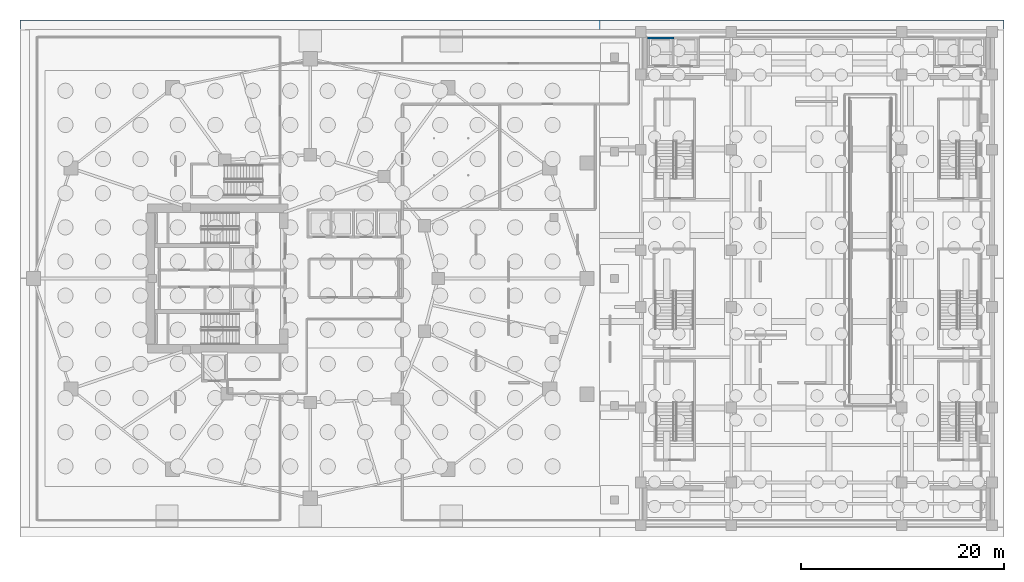
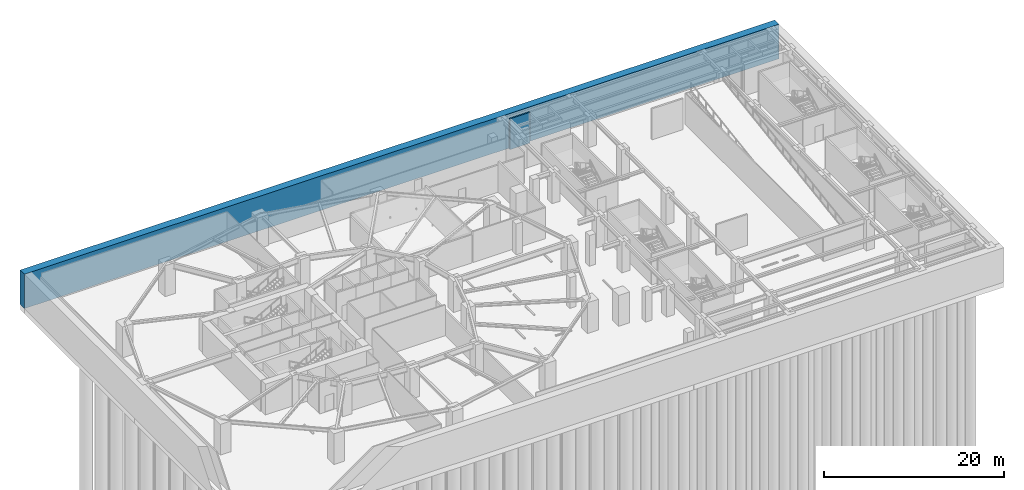
# One storey, part 10 of 19: 2 walls.
"""IFC4 building model written with IfcOpenShell, lengths in metres."""

from ifc_helpers import new_model, si_unit, direction, frame, frame_2d, origin, place, context, subcontext, project, spatial, rectangle, extrude, material, layer, layer_set, type_object, element, save


model = new_model("IFC4")

# Units and contexts
model_context = context("Model", 3, precision=1e-05, world=origin(), true_north=direction((0.0, 1.0)))
body_context = subcontext(model_context, "Body", "Model", "MODEL_VIEW")
ifc_project = project(units=[si_unit("LENGTHUNIT", "METRE"), si_unit("AREAUNIT", "SQUARE_METRE"), si_unit("VOLUMEUNIT", "CUBIC_METRE"), si_unit("PLANEANGLEUNIT", "RADIAN"), si_unit("MASSUNIT", "GRAM", prefix="KILO")], contexts=[model_context])

# Site, building, storey
site_placement = place(None, origin())
site = spatial("IfcSite", under=ifc_project, at=site_placement, CompositionType="ELEMENT")
building_placement = place(site_placement, origin())
building = spatial("IfcBuilding", under=site, at=building_placement, Name="Kolvaren Gate Tower and Convention Centre", CompositionType="ELEMENT")
storey_placement = place(building_placement, frame((0.0, 0.0, -13.5)))
storey = spatial("IfcBuildingStorey", under=building, at=storey_placement, Name="B3", CompositionType="ELEMENT", Elevation=-13.5)

# Walls
ifc_material_1 = material(Name="Autoclaved Aerated Masonry Blockwork Class 4 (4.0 MPa)", Category="masonry")
ifc_layer_1 = layer(ifc_material_1, 0.199951171875)
ifc_layer_set_1 = layer_set([ifc_layer_1], Name="Autoclaved Aerated Masonry Blockwork Class 4 (4.0 MPa)")
wall_type_1 = type_object("IfcWallType", Name="ARCH-WL-SHAFT-200", PredefinedType="SOLIDWALL", material=ifc_layer_set_1)
wall_1_placement = place(storey_placement, frame((63.35009765625, 50.699951171875, 0.0), z_axis=(0.0, 0.0, 1.0), x_axis=(1.0, 0.0, 0.0)))
element("IfcWall", 1, at=wall_1_placement, inside=storey, type_object=wall_type_1, Name="Elevator CL-01 B3 Fire Shaft Wall N", PredefinedType="SOLIDWALL", context=body_context, shape_type="SweptSolid", body=[
    extrude(rectangle(XDim=2.599853515625, YDim=0.199951171875, at=frame_2d((1.2998046875, 0.0))), origin(), (0.0, 0.0, 1.0), 4.179931640625),
])
ifc_material_2 = material(Name="Concrete C50/60", Category="concrete")
ifc_layer_2 = layer(ifc_material_2, 0.949951171875)
ifc_layer_set_2 = layer_set([ifc_layer_2], Name="Concrete C50/60")
wall_type_2 = type_object("IfcWallType", Name="STR-WL-DIAPH-950", PredefinedType="USERDEFINED", material=ifc_layer_set_2)
wall_2_placement = place(storey_placement, frame((1.52490234375, 52.0, -0.5), z_axis=(0.0, 0.0, 1.0), x_axis=(1.0, 0.0, 0.0)))
element("IfcWall", 2, at=wall_2_placement, inside=storey, type_object=wall_type_2, Name="Basement B3 N Perimeter Diaphragm Wall", ObjectType="RETAINING WALL", PredefinedType="USERDEFINED", context=body_context, shape_type="SweptSolid", body=[
    extrude(rectangle(XDim=96.9501953125, YDim=0.949951171875, at=frame_2d((48.47509765625, 0.0))), origin(), (0.0, 0.0, 1.0), 4.679931640625),
])

save(model, "model.ifc")
